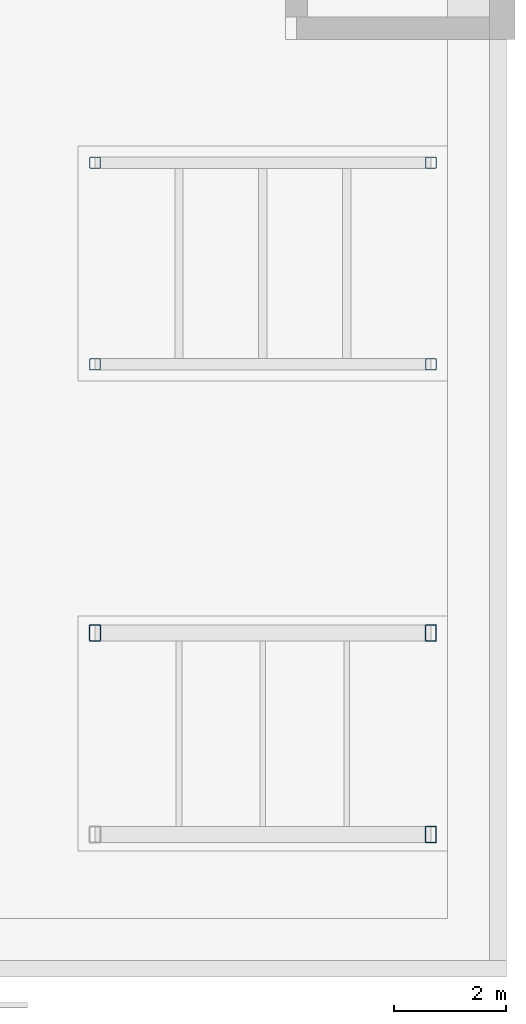
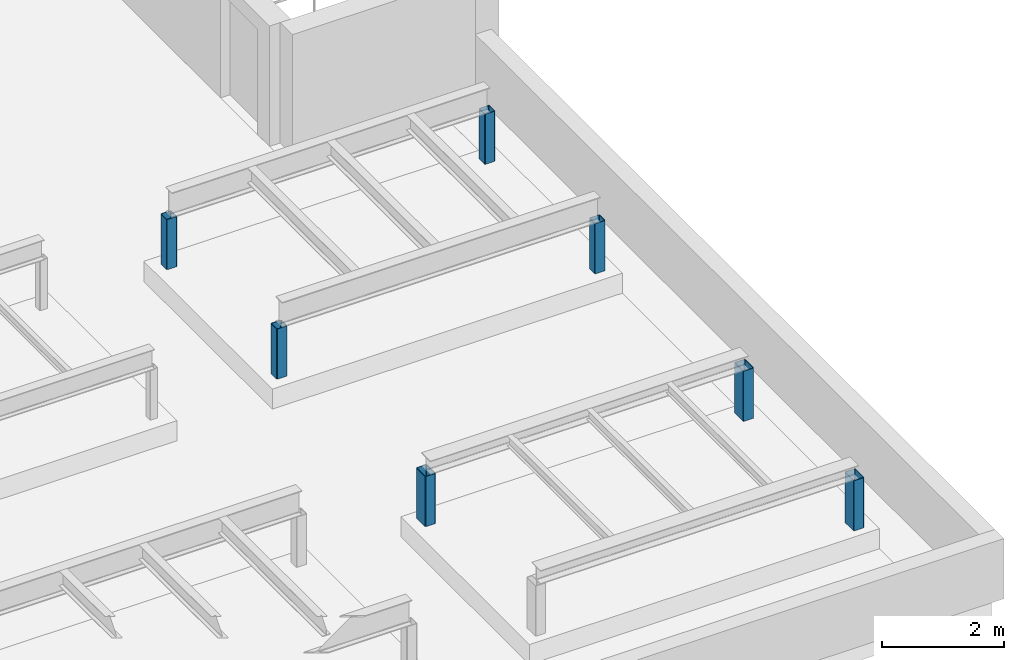
# One storey, part 7 of 18: 7 columns.
"""IFC4 building model written with IfcOpenShell, lengths in metres."""

from ifc_helpers import new_model, si_unit, direction, frame, origin, origin_2d, place, context, subcontext, project, spatial, hollow_rectangle, extrude, material, material_profile, profile_set, type_object, element, save


model = new_model("IFC4")

# Units and contexts
model_context = context("Model", 3, precision=1e-05, world=origin(), true_north=direction((0.0, 1.0)))
body_context = subcontext(model_context, "Body", "Model", "MODEL_VIEW")
ifc_project = project(units=[si_unit("LENGTHUNIT", "METRE"), si_unit("AREAUNIT", "SQUARE_METRE"), si_unit("VOLUMEUNIT", "CUBIC_METRE"), si_unit("PLANEANGLEUNIT", "RADIAN"), si_unit("MASSUNIT", "GRAM", prefix="KILO")], contexts=[model_context])

# Site, building, storey
site_placement = place(None, origin())
site = spatial("IfcSite", under=ifc_project, at=site_placement, CompositionType="ELEMENT")
building_placement = place(site_placement, origin())
building = spatial("IfcBuilding", under=site, at=building_placement, Name="Yavir Park General Hospital", CompositionType="ELEMENT")
storey_placement = place(building_placement, frame((0.0, 0.0, 29.699951171875)))
storey = spatial("IfcBuildingStorey", under=building, at=storey_placement, Name="RF", CompositionType="ELEMENT", Elevation=29.699951171875)

# Columns
ifc_material_1 = material(Name="Steel S355", Category="steel")
ifc_material_profile_1 = material_profile(ifc_material_1, hollow_rectangle(XDim=0.199951171875, YDim=0.300048828125, WallThickness=0.010009765625, InnerFilletRadius=0.014892578125, OuterFilletRadius=0.02001953125, at=origin_2d()), Name="RHS300x200x10")
ifc_profile_set_1 = profile_set([ifc_material_profile_1], Name="Steel S355")
column_type_1 = type_object("IfcColumnType", Name="RHS 300x200x10 platform column", PredefinedType="COLUMN", material=ifc_profile_set_1)
for number, where, z_axis, x_axis, name in (
    (1, (166.800048828125, 2.39990234375, 0.400146484375), (0.0, 0.0, 1.0), (1.0, 0.0, 0.0), "C:PF:PP120A:1"),
    (2, (160.800048828125, 6.0, 0.400146484375), (0.0, 0.0, 1.0), (1.0, 0.0, 0.0), "C:PF:PP120A:2"),
    (3, (166.800048828125, 6.0, 0.400146484375), (0.0, 0.0, 1.0), (1.0, 0.0, 0.0), "C:PF:PP120A:3"),
):
    element("IfcColumn", number, at=place(storey_placement, frame(where, z_axis=z_axis, x_axis=x_axis)), inside=storey, type_object=column_type_1, Name=name, PredefinedType="COLUMN", context=body_context, shape_type="SweptSolid", body=[
        extrude(hollow_rectangle(XDim=0.199951171875, YDim=0.300048828125, WallThickness=0.010009765625, InnerFilletRadius=0.014892578125, OuterFilletRadius=0.02001953125, at=origin_2d()), origin(), (0.0, 0.0, 1.0), 1.0),
    ])
ifc_material_2 = material(Name="Steel S355", Category="steel")
ifc_material_profile_2 = material_profile(ifc_material_2, hollow_rectangle(XDim=0.199951171875, YDim=0.199951171875, WallThickness=0.010009765625, InnerFilletRadius=0.014892578125, OuterFilletRadius=0.02001953125, at=origin_2d()), Name="SHS200x200x10")
ifc_profile_set_2 = profile_set([ifc_material_profile_2], Name="Steel S355")
column_type_2 = type_object("IfcColumnType", Name="SHS 200x200x10 platform column", PredefinedType="COLUMN", material=ifc_profile_set_2)
for number, where, z_axis, x_axis, name in (
    (4, (160.800048828125, 10.800048828125, 0.400146484375), (0.0, 0.0, 1.0), (1.0, 0.0, 0.0), "C:PF:PP120B:0"),
    (5, (166.800048828125, 10.800048828125, 0.400146484375), (0.0, 0.0, 1.0), (1.0, 0.0, 0.0), "C:PF:PP120B:1"),
    (6, (160.800048828125, 14.39990234375, 0.400146484375), (0.0, 0.0, 1.0), (1.0, 0.0, 0.0), "C:PF:PP120B:2"),
    (7, (166.800048828125, 14.39990234375, 0.400146484375), (0.0, 0.0, 1.0), (1.0, 0.0, 0.0), "C:PF:PP120B:3"),
):
    element("IfcColumn", number, at=place(storey_placement, frame(where, z_axis=z_axis, x_axis=x_axis)), inside=storey, type_object=column_type_2, Name=name, PredefinedType="COLUMN", context=body_context, shape_type="SweptSolid", body=[
        extrude(hollow_rectangle(XDim=0.199951171875, YDim=0.199951171875, WallThickness=0.010009765625, InnerFilletRadius=0.014892578125, OuterFilletRadius=0.02001953125, at=origin_2d()), origin(), (0.0, 0.0, 1.0), 1.0),
    ])

save(model, "model.ifc")
